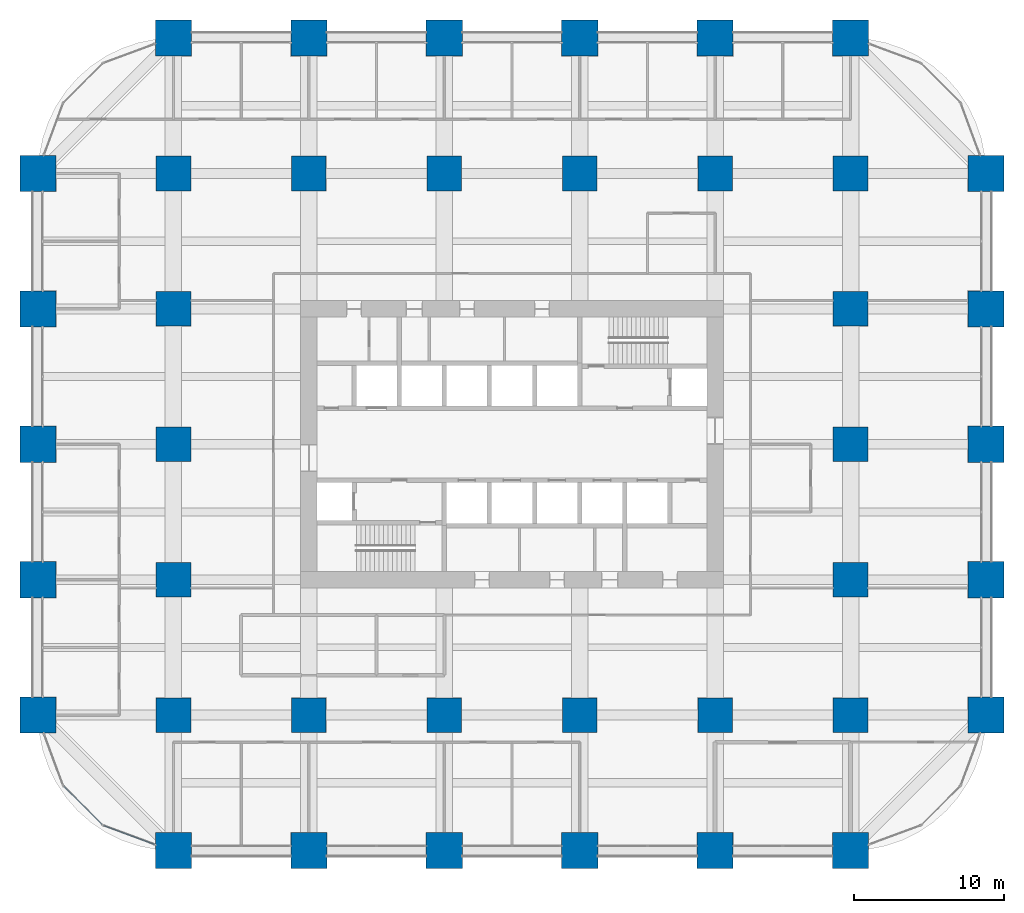
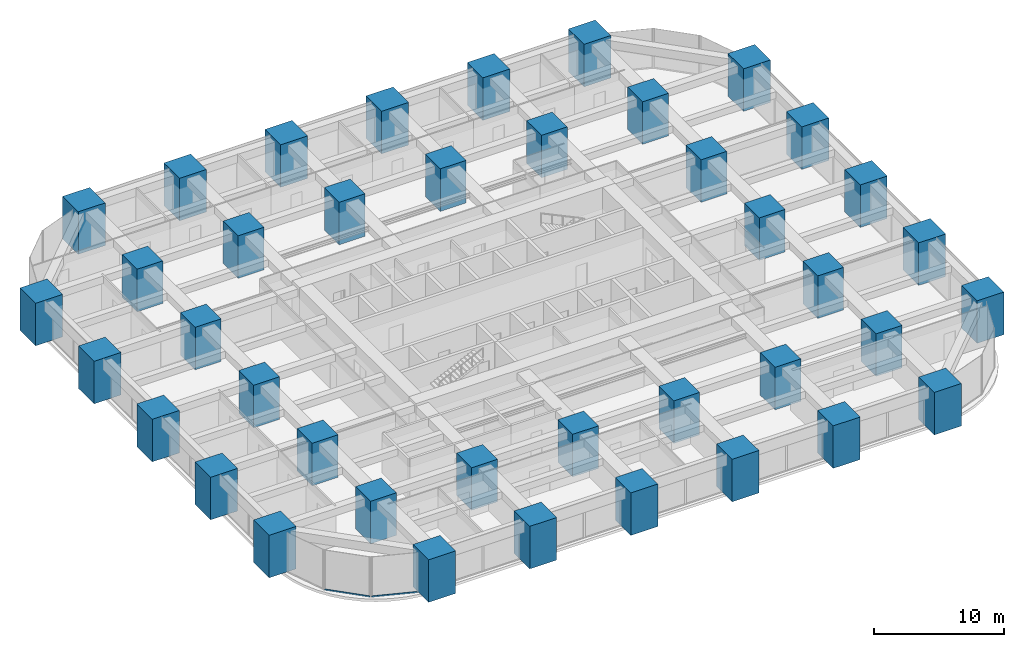
# One storey, part 1 of 44: 40 columns, 2 members, 2 elements without a shape of their own.
"""IFC4 building model written with IfcOpenShell, lengths in metres."""

from ifc_helpers import new_model, si_unit, direction, frame, origin, origin_2d, place, context, subcontext, project, spatial, rectangle, hollow_rectangle, extrude, material, material_profile, profile_set, type_object, element, aggregate, save


model = new_model("IFC4")

# Units and contexts
model_context = context("Model", 3, precision=1e-05, world=origin(), true_north=direction((0.0, 1.0)))
body_context = subcontext(model_context, "Body", "Model", "MODEL_VIEW")
ifc_project = project(units=[si_unit("LENGTHUNIT", "METRE"), si_unit("AREAUNIT", "SQUARE_METRE"), si_unit("VOLUMEUNIT", "CUBIC_METRE"), si_unit("PLANEANGLEUNIT", "RADIAN"), si_unit("MASSUNIT", "GRAM", prefix="KILO")], contexts=[model_context])

# Site, building, storey
site_placement = place(None, origin())
site = spatial("IfcSite", under=ifc_project, at=site_placement, CompositionType="ELEMENT")
building_placement = place(site_placement, origin())
building = spatial("IfcBuilding", under=site, at=building_placement, Name="Zorevar Civic Tower", CompositionType="ELEMENT")
storey_placement = place(building_placement, frame((0.0, 0.0, 35.800048828125)))
storey = spatial("IfcBuildingStorey", under=building, at=storey_placement, Name="L08", CompositionType="ELEMENT", Elevation=35.800048828125)

# Columns
ifc_material_1 = material(Name="Concrete C50/60", Category="concrete")
ifc_material_profile_1 = material_profile(ifc_material_1, rectangle(XDim=2.300048828125, YDim=2.300048828125, at=origin_2d()), Name="RC 2300x2300")
ifc_profile_set_1 = profile_set([ifc_material_profile_1], Name="Concrete C50/60")
column_type_1 = type_object("IfcColumnType", Name="Column RC 2300x2300", PredefinedType="COLUMN", material=ifc_profile_set_1)
for number, where, z_axis, x_axis, name in (
    (1, (9.0, 9.0, 0.0), (0.0, 0.0, 1.0), (1.0, 0.0, 0.0), "Column 3B L08"),
    (2, (9.0, 18.0, 0.0), (0.0, 0.0, 1.0), (1.0, 0.0, 0.0), "Column 3C L08"),
    (3, (9.0, 27.0, 0.0), (0.0, 0.0, 1.0), (1.0, 0.0, 0.0), "Column 3D L08"),
    (4, (9.0, 36.0, 0.0), (0.0, 0.0, 1.0), (1.0, 0.0, 0.0), "Column 3E L08"),
    (5, (9.0, 45.0, 0.0), (0.0, 0.0, 1.0), (1.0, 0.0, 0.0), "Column 3F L08"),
    (6, (18.0, 9.0, 0.0), (0.0, 0.0, 1.0), (1.0, 0.0, 0.0), "Column 4B L08"),
    (7, (18.0, 45.0, 0.0), (0.0, 0.0, 1.0), (1.0, 0.0, 0.0), "Column 4F L08"),
    (8, (27.0, 9.0, 0.0), (0.0, 0.0, 1.0), (1.0, 0.0, 0.0), "Column 5B L08"),
    (9, (27.0, 45.0, 0.0), (0.0, 0.0, 1.0), (1.0, 0.0, 0.0), "Column 5F L08"),
    (10, (36.0, 9.0, 0.0), (0.0, 0.0, 1.0), (1.0, 0.0, 0.0), "Column 6B L08"),
    (11, (36.0, 45.0, 0.0), (0.0, 0.0, 1.0), (1.0, 0.0, 0.0), "Column 6F L08"),
    (12, (45.0, 9.0, 0.0), (0.0, 0.0, 1.0), (1.0, 0.0, 0.0), "Column 7B L08"),
    (13, (45.0, 45.0, 0.0), (0.0, 0.0, 1.0), (1.0, 0.0, 0.0), "Column 7F L08"),
    (14, (54.0, 9.0, 0.0), (0.0, 0.0, 1.0), (1.0, 0.0, 0.0), "Column 8B L08"),
    (15, (54.0, 18.0, 0.0), (0.0, 0.0, 1.0), (1.0, 0.0, 0.0), "Column 8C L08"),
    (16, (54.0, 27.0, 0.0), (0.0, 0.0, 1.0), (1.0, 0.0, 0.0), "Column 8D L08"),
    (17, (54.0, 36.0, 0.0), (0.0, 0.0, 1.0), (1.0, 0.0, 0.0), "Column 8E L08"),
    (18, (54.0, 45.0, 0.0), (0.0, 0.0, 1.0), (1.0, 0.0, 0.0), "Column 8F L08"),
):
    element("IfcColumn", number, at=place(storey_placement, frame(where, z_axis=z_axis, x_axis=x_axis)), inside=storey, type_object=column_type_1, Name=name, PredefinedType="COLUMN", context=body_context, shape_type="SweptSolid", body=[
        extrude(rectangle(XDim=2.300048828125, YDim=2.300048828125, at=origin_2d()), origin(), (0.0, 0.0, 1.0), 4.0),
    ])
ifc_material_2 = material(Name="Concrete C50/60", Category="concrete")
ifc_material_profile_2 = material_profile(ifc_material_2, rectangle(XDim=2.39990234375, YDim=2.39990234375, at=origin_2d()), Name="RC 2400x2400")
ifc_profile_set_2 = profile_set([ifc_material_profile_2], Name="Concrete C50/60")
column_type_2 = type_object("IfcColumnType", Name="Column RC 2400x2400", PredefinedType="COLUMN", material=ifc_profile_set_2)
for number, where, z_axis, x_axis, name in (
    (19, (0.0, 9.0, 0.0), (0.0, 0.0, 1.0), (1.0, 0.0, 0.0), "Column 2B L08"),
    (20, (0.0, 18.0, 0.0), (0.0, 0.0, 1.0), (1.0, 0.0, 0.0), "Column 2C L08"),
    (21, (0.0, 27.0, 0.0), (0.0, 0.0, 1.0), (1.0, 0.0, 0.0), "Column 2D L08"),
    (22, (0.0, 36.0, 0.0), (0.0, 0.0, 1.0), (1.0, 0.0, 0.0), "Column 2E L08"),
    (23, (0.0, 45.0, 0.0), (0.0, 0.0, 1.0), (1.0, 0.0, 0.0), "Column 2F L08"),
    (24, (9.0, 0.0, 0.0), (0.0, 0.0, 1.0), (1.0, 0.0, 0.0), "Column 3A L08"),
    (25, (9.0, 54.0, 0.0), (0.0, 0.0, 1.0), (1.0, 0.0, 0.0), "Column 3G L08"),
    (26, (18.0, 0.0, 0.0), (0.0, 0.0, 1.0), (1.0, 0.0, 0.0), "Column 4A L08"),
    (27, (18.0, 54.0, 0.0), (0.0, 0.0, 1.0), (1.0, 0.0, 0.0), "Column 4G L08"),
    (28, (27.0, 0.0, 0.0), (0.0, 0.0, 1.0), (1.0, 0.0, 0.0), "Column 5A L08"),
    (29, (27.0, 54.0, 0.0), (0.0, 0.0, 1.0), (1.0, 0.0, 0.0), "Column 5G L08"),
    (30, (36.0, 0.0, 0.0), (0.0, 0.0, 1.0), (1.0, 0.0, 0.0), "Column 6A L08"),
    (31, (36.0, 54.0, 0.0), (0.0, 0.0, 1.0), (1.0, 0.0, 0.0), "Column 6G L08"),
    (32, (45.0, 0.0, 0.0), (0.0, 0.0, 1.0), (1.0, 0.0, 0.0), "Column 7A L08"),
    (33, (45.0, 54.0, 0.0), (0.0, 0.0, 1.0), (1.0, 0.0, 0.0), "Column 7G L08"),
    (34, (54.0, 0.0, 0.0), (0.0, 0.0, 1.0), (1.0, 0.0, 0.0), "Column 8A L08"),
    (35, (54.0, 54.0, 0.0), (0.0, 0.0, 1.0), (1.0, 0.0, 0.0), "Column 8G L08"),
    (36, (63.0, 9.0, 0.0), (0.0, 0.0, 1.0), (1.0, 0.0, 0.0), "Column 9B L08"),
    (37, (63.0, 18.0, 0.0), (0.0, 0.0, 1.0), (1.0, 0.0, 0.0), "Column 9C L08"),
    (38, (63.0, 27.0, 0.0), (0.0, 0.0, 1.0), (1.0, 0.0, 0.0), "Column 9D L08"),
    (39, (63.0, 36.0, 0.0), (0.0, 0.0, 1.0), (1.0, 0.0, 0.0), "Column 9E L08"),
    (40, (63.0, 45.0, 0.0), (0.0, 0.0, 1.0), (1.0, 0.0, 0.0), "Column 9F L08"),
):
    element("IfcColumn", number, at=place(storey_placement, frame(where, z_axis=z_axis, x_axis=x_axis)), inside=storey, type_object=column_type_2, Name=name, PredefinedType="COLUMN", context=body_context, shape_type="SweptSolid", body=[
        extrude(rectangle(XDim=2.39990234375, YDim=2.39990234375, at=origin_2d()), origin(), (0.0, 0.0, 1.0), 4.0),
    ])

# Curtain wall, member
ifc_material_3 = material(Name="Dark grey solar-control glass in black aluminium frame", Category="aluminium")
curtain_wall_type = type_object("IfcCurtainWallType", Name="Curtain wall CW2 low zone", PredefinedType="NOTDEFINED", material=ifc_material_3)
curtain_wall_1_placement = place(storey_placement, origin())
curtain_wall_1 = element("IfcCurtainWall", 41, at=curtain_wall_1_placement, inside=storey, type_object=curtain_wall_type, Name="CW2 L08", PredefinedType="NOTDEFINED")
ifc_material_4 = material(Name="Aluminium, black anodised", Category="aluminium")
ifc_material_profile_3 = material_profile(ifc_material_4, hollow_rectangle(XDim=0.06005859375, YDim=0.14990234375, WallThickness=0.00390625, at=origin_2d()), Name="AL 150x60x4")
ifc_profile_set_3 = profile_set([ifc_material_profile_3], Name="Aluminium, black anodised")
member_type = type_object("IfcMemberType", Name="CW2 transom AL 150x60x4", PredefinedType="USERDEFINED", material=ifc_profile_set_3)
member_1_placement = place(storey_placement, frame((1.716552734375, 4.264892578125, 0.030029296875), z_axis=(0.707106781187, -0.707106781187, 0.0), x_axis=(0.707106781187, 0.707106781187, 0.0)))
member_1 = element("IfcMember", 42, at=member_1_placement, type_object=member_type, Name="CW2 sill transom", ObjectType="TRANSOM", PredefinedType="USERDEFINED", context=body_context, shape_type="SweptSolid", body=[
    extrude(hollow_rectangle(XDim=0.06005859375, YDim=0.14990234375, WallThickness=0.00390625, at=origin_2d()), origin(), (0.0, 0.0, 1.0), 3.60400390625),
])
aggregate(curtain_wall_1, [member_1])

curtain_wall_2_placement = place(storey_placement, origin())
curtain_wall_2 = element("IfcCurtainWall", 43, at=curtain_wall_2_placement, inside=storey, type_object=curtain_wall_type, Name="CW2 L08", PredefinedType="NOTDEFINED")
member_2_placement = place(storey_placement, frame((4.363525390625, 1.6533203125, 0.030029296875), z_axis=(0.93798635741, -0.346672169799, 0.0), x_axis=(0.346672169799, 0.93798635741, 0.0)))
member_2 = element("IfcMember", 44, at=member_2_placement, type_object=member_type, Name="CW2 sill transom", ObjectType="TRANSOM", PredefinedType="USERDEFINED", context=body_context, shape_type="SweptSolid", body=[
    extrude(hollow_rectangle(XDim=0.06005859375, YDim=0.14990234375, WallThickness=0.00390625, at=origin_2d()), origin(), (0.0, 0.0, 1.0), 3.603515625),
])
aggregate(curtain_wall_2, [member_2])

save(model, "model.ifc")
